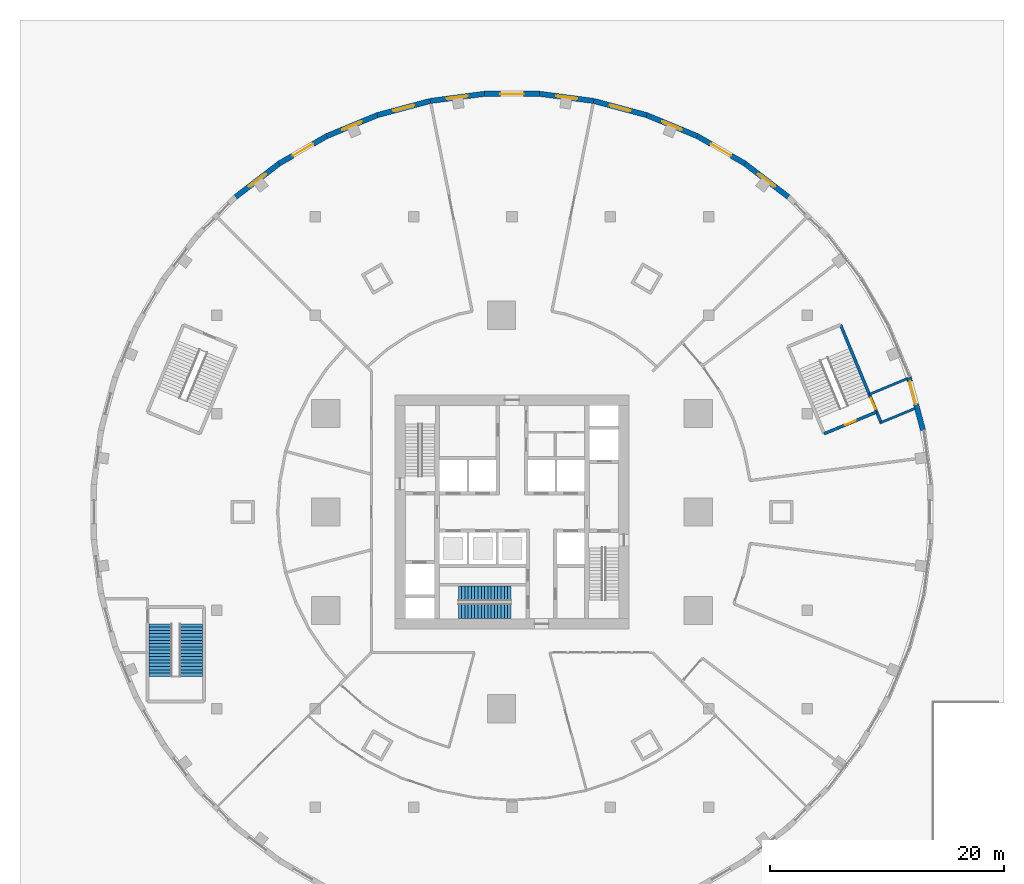
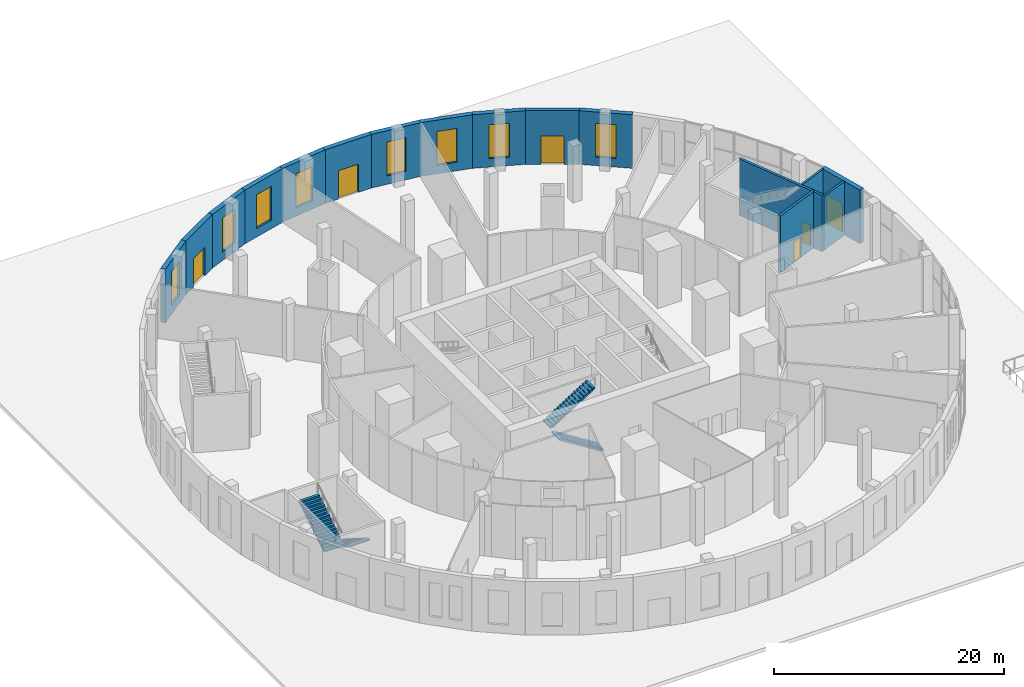
# One storey, part 14 of 19: 16 walls, 8 windows, 6 doors, 4 stair flights, 14 openings, 2 elements without a shape of their own.
"""IFC4 building model written with IfcOpenShell, lengths in metres."""

from ifc_helpers import new_model, si_unit, direction, frame, frame_2d, origin, place, context, subcontext, project, spatial, polyline, rectangle, outline, extrude, material, layer, layer_set, type_object, element, fill, aggregate, save


model = new_model("IFC4")

# Units and contexts
model_context = context("Model", 3, precision=1e-05, world=origin(), true_north=direction((0.0, 1.0)))
body_context = subcontext(model_context, "Body", "Model", "MODEL_VIEW")
ifc_project = project(units=[si_unit("LENGTHUNIT", "METRE"), si_unit("AREAUNIT", "SQUARE_METRE"), si_unit("VOLUMEUNIT", "CUBIC_METRE"), si_unit("PLANEANGLEUNIT", "RADIAN"), si_unit("MASSUNIT", "GRAM", prefix="KILO")], contexts=[model_context])

# Site, building, storey
site_placement = place(None, origin())
site = spatial("IfcSite", under=ifc_project, at=site_placement, CompositionType="ELEMENT")
building_placement = place(site_placement, origin())
building = spatial("IfcBuilding", under=site, at=building_placement, Name="Golbaran Civic Tower", CompositionType="ELEMENT")
storey_placement = place(building_placement, origin())
storey = spatial("IfcBuildingStorey", under=building, at=storey_placement, Name="L00", CompositionType="ELEMENT", Elevation=0.0)

# Walls
ifc_material_1 = material(Name="Concrete block, plastered", Category="concrete")
ifc_layer_1 = layer(ifc_material_1, 0.199951171875, Name="Concrete block, plastered")
ifc_layer_set_1 = layer_set([ifc_layer_1], Name="Concrete block, plastered")
wall_type_1 = type_object("IfcWallType", Name="PODIUM PARTITION 200", PredefinedType="PARTITIONING", material=ifc_layer_set_1)
wall_1_placement = place(storey_placement, frame((30.5, 10.0400390625, 0.0), z_axis=(0.0, 0.0, 1.0), x_axis=(0.923261142816, 0.384172958661, 0.0)))
element("IfcWall", 1, at=wall_1_placement, inside=storey, type_object=wall_type_1, Name="Podium partition L00", PredefinedType="PARTITIONING", context=body_context, shape_type="SweptSolid", body=[
    extrude(rectangle(XDim=3.487548828125, YDim=0.199951171875, at=frame_2d((1.74365234375, 0.0))), origin(), (0.0, 0.0, 1.0), 5.699951171875),
])
wall_2_placement = place(storey_placement, frame((31.5, 7.639892578125, 0.0), z_axis=(0.0, 0.0, 1.0), x_axis=(0.923990294705, 0.382415919243, 0.0)))
element("IfcWall", 2, at=wall_2_placement, inside=storey, type_object=wall_type_1, Name="Podium partition L00", PredefinedType="PARTITIONING", context=body_context, shape_type="SweptSolid", body=[
    extrude(rectangle(XDim=3.138427734375, YDim=0.199951171875, at=frame_2d((1.5693359375, 0.0))), origin(), (0.0, 0.0, 1.0), 5.699951171875),
])

# Wall, opening, door
ifc_material_2 = material(Name="Concrete C50/60", Category="concrete")
ifc_layer_2 = layer(ifc_material_2, 0.25, Name="Concrete C50/60")
ifc_layer_set_2 = layer_set([ifc_layer_2], Name="Concrete C50/60")
wall_type_2 = type_object("IfcWallType", Name="STAIR ENCLOSURE WALL CONCRETE 250", PredefinedType="SOLIDWALL", material=ifc_layer_set_2)
wall_3_placement = place(storey_placement, frame((31.12744140625, 8.536865234375, 0.0), z_axis=(0.0, 0.0, 1.0), x_axis=(-0.923880627248, -0.382680789426, 0.0)))
wall_3 = element("IfcWall", 3, at=wall_3_placement, inside=storey, type_object=wall_type_2, Name="Stair P1 enclosure A L00", PredefinedType="SOLIDWALL", context=body_context, shape_type="SweptSolid", body=[
    extrude(rectangle(XDim=4.849853515625, YDim=0.25, at=frame_2d((2.4248046875, 0.0))), origin(), (0.0, 0.0, 1.0), 6.0),
])
opening_1_placement = place(wall_3_placement, frame((1.925048828125, 0.0, 0.0)))
opening_1 = element("IfcOpeningElement", 4, at=opening_1_placement, cuts=wall_3, Name="Opening L00.P1", PredefinedType="OPENING", context=body_context, shape_type="SweptSolid", body=[
    extrude(rectangle(XDim=1.0, YDim=2.199951171875, at=frame_2d((0.5, 1.10009765625))), frame((0.0, 0.135009765625, 0.0), z_axis=(0.0, -1.0, 0.0), x_axis=(1.0, 0.0, 0.0)), (0.0, 0.0, 1.0), 0.27001953125),
])
ifc_material_3 = material(Name="Timber door set in steel frame", Category="steel")
door_type_1 = type_object("IfcDoorType", Name="STAIR DOOR 1000x2200", OperationType="SINGLE_SWING_LEFT", PredefinedType="DOOR", material=ifc_material_3)
door_1_placement = place(opening_1_placement, origin())
door_1 = element("IfcDoor", 5, at=door_1_placement, inside=storey, type_object=door_type_1, Name="Stair P1 door", OperationType="SINGLE_SWING_RIGHT", OverallHeight=2.199951171875, OverallWidth=1.0, PredefinedType="DOOR", context=body_context, shape_type="SweptSolid", body=[
    extrude(rectangle(XDim=1.0, YDim=2.199951171875, at=frame_2d((0.5, 1.10009765625))), frame((0.0, 0.02490234375, 0.0), z_axis=(0.0, -1.0, 0.0), x_axis=(1.0, 0.0, 0.0)), (0.0, 0.0, 1.0), 0.050048828125),
])
fill(opening_1, door_1)

wall_4_placement = place(storey_placement, frame((28.046875, 15.97412109375, 0.0), z_axis=(0.0, 0.0, 1.0), x_axis=(0.38267867035, -0.923881504988, 0.0)))
wall_4 = element("IfcWall", 6, at=wall_4_placement, inside=storey, type_object=wall_type_2, Name="Stair P1 enclosure D L00", PredefinedType="SOLIDWALL", context=body_context, shape_type="SweptSolid", body=[
    extrude(rectangle(XDim=9.125, YDim=0.25, at=frame_2d((4.5625, 0.0))), origin(), (0.0, 0.0, 1.0), 6.0),
])
opening_2_placement = place(wall_4_placement, frame((6.77490234375, 0.0, 0.0)))
opening_2 = element("IfcOpeningElement", 7, at=opening_2_placement, cuts=wall_4, Name="Opening L00.P1X", PredefinedType="OPENING", context=body_context, shape_type="SweptSolid", body=[
    extrude(rectangle(XDim=1.0, YDim=2.199951171875, at=frame_2d((0.5, 1.10009765625))), frame((0.0, 0.135009765625, 0.0), z_axis=(0.0, -1.0, 0.0), x_axis=(1.0, 0.0, 0.0)), (0.0, 0.0, 1.0), 0.27001953125),
])
door_2_placement = place(opening_2_placement, origin())
door_2 = element("IfcDoor", 8, at=door_2_placement, inside=storey, type_object=door_type_1, Name="Stair P1 exit door", OperationType="SINGLE_SWING_RIGHT", OverallHeight=2.199951171875, OverallWidth=1.0, PredefinedType="DOOR", context=body_context, shape_type="SweptSolid", body=[
    extrude(rectangle(XDim=1.0, YDim=2.199951171875, at=frame_2d((0.5, 1.10009765625))), frame((0.0, 0.02490234375, 0.0), z_axis=(0.0, -1.0, 0.0), x_axis=(1.0, 0.0, 0.0)), (0.0, 0.0, 1.0), 0.050048828125),
])
fill(opening_2, door_2)

ifc_material_4 = material(Name="Terracotta brick", Category="masonry")
ifc_layer_3 = layer(ifc_material_4, 0.449951171875, Name="Terracotta brick")
ifc_layer_set_3 = layer_set([ifc_layer_3], Name="Terracotta brick")
wall_type_3 = type_object("IfcWallType", Name="TERRACOTTA BRICK FACADE WALL 450", PredefinedType="SOLIDWALL", material=ifc_layer_set_3)
wall_5_placement = place(storey_placement, frame((35.087646484375, 6.979248046875, 0.0), z_axis=(0.0, 0.0, 1.0), x_axis=(-0.258815185258, 0.965926860523, 0.0)))
wall_5 = element("IfcWall", 9, at=wall_5_placement, inside=storey, type_object=wall_type_3, Name="Podium wall L00 facet 2", PredefinedType="SOLIDWALL", context=body_context, shape_type="SweptSolid", body=[
    extrude(rectangle(XDim=4.6796875, YDim=0.449951171875, at=frame_2d((2.33984375, 0.0))), origin(), (0.0, 0.0, 1.0), 5.699951171875),
])
opening_3_placement = place(wall_5_placement, frame((2.3076171875, 0.0, 0.0)))
opening_3 = element("IfcOpeningElement", 10, at=opening_3_placement, cuts=wall_5, Name="Opening L00.04", PredefinedType="OPENING", context=body_context, shape_type="SweptSolid", body=[
    extrude(rectangle(XDim=2.0, YDim=3.0, at=frame_2d((1.0, 1.5))), frame((0.0, 0.23486328125, 0.0), z_axis=(0.0, -1.0, 0.0), x_axis=(1.0, 0.0, 0.0)), (0.0, 0.0, 1.0), 0.469970703125),
])
ifc_material_5 = material(Name="Bronze-finished aluminium and glass", Category="aluminium")
door_type_2 = type_object("IfcDoorType", Name="ENTRANCE DOOR 2000x3000", OperationType="DOUBLE_DOOR_SINGLE_SWING", PredefinedType="DOOR", material=ifc_material_5)
door_3_placement = place(opening_3_placement, frame((2.0, 0.0, 0.0), z_axis=(0.0, 0.0, 1.0), x_axis=(-1.0, 0.0, 0.0)))
door_3 = element("IfcDoor", 11, at=door_3_placement, inside=storey, type_object=door_type_2, Name="Stair P1 Exit door", OperationType="DOUBLE_DOOR_SINGLE_SWING", OverallHeight=3.0, OverallWidth=2.0, PredefinedType="DOOR", context=body_context, shape_type="SweptSolid", body=[
    extrude(rectangle(XDim=2.0, YDim=3.0, at=frame_2d((1.0, 1.5))), frame((0.0, 0.02490234375, 0.0), z_axis=(0.0, -1.0, 0.0), x_axis=(1.0, 0.0, 0.0)), (0.0, 0.0, 1.0), 0.050048828125),
])
fill(opening_3, door_3)

# Wall, opening, window
wall_6_placement = place(storey_placement, frame((23.588134765625, 26.89697265625, 0.0), z_axis=(0.0, 0.0, 1.0), x_axis=(-0.79334682721, 0.608769916927, 0.0)))
wall_6 = element("IfcWall", 12, at=wall_6_placement, inside=storey, type_object=wall_type_3, Name="Podium wall L00 facet 7", PredefinedType="SOLIDWALL", context=body_context, shape_type="SweptSolid", body=[
    extrude(rectangle(XDim=4.6796875, YDim=0.449951171875, at=frame_2d((2.33984375, 0.0))), origin(), (0.0, 0.0, 1.0), 5.699951171875),
])
opening_4_placement = place(wall_6_placement, frame((1.439697265625, 0.0, 0.89990234375)))
opening_4 = element("IfcOpeningElement", 13, at=opening_4_placement, cuts=wall_6, Name="Opening L00.W03", PredefinedType="OPENING", context=body_context, shape_type="SweptSolid", body=[
    extrude(rectangle(XDim=1.800048828125, YDim=3.60009765625, at=frame_2d((0.89990234375, 1.800048828125))), frame((0.0, 0.23486328125, 0.0), z_axis=(0.0, -1.0, 0.0), x_axis=(1.0, 0.0, 0.0)), (0.0, 0.0, 1.0), 0.469970703125),
])
ifc_material_6 = material(Name="Aluminium frame, clear glass", Category="aluminium")
window_type = type_object("IfcWindowType", Name="PODIUM WINDOW 1800x3600", PartitioningType="SINGLE_PANEL", PredefinedType="WINDOW", material=ifc_material_6)
window_1_placement = place(opening_4_placement, origin())
window_1 = element("IfcWindow", 14, at=window_1_placement, inside=storey, type_object=window_type, Name="Podium window L00 facet 7", OverallHeight=3.60009765625, OverallWidth=1.800048828125, PartitioningType="SINGLE_PANEL", PredefinedType="WINDOW", context=body_context, shape_type="SweptSolid", body=[
    extrude(rectangle(XDim=1.800048828125, YDim=3.60009765625, at=frame_2d((0.89990234375, 1.800048828125))), frame((0.0, 0.030029296875, 0.0), z_axis=(0.0, -1.0, 0.0), x_axis=(1.0, 0.0, 0.0)), (0.0, 0.0, 1.0), 0.06005859375),
])
fill(opening_4, window_1)

# Wall, opening, door
wall_7_placement = place(storey_placement, frame((19.87548828125, 29.745849609375, 0.0), z_axis=(0.0, 0.0, 1.0), x_axis=(-0.866012687223, 0.500022025083, 0.0)))
wall_7 = element("IfcWall", 15, at=wall_7_placement, inside=storey, type_object=wall_type_3, Name="Podium wall L00 facet 8", PredefinedType="SOLIDWALL", context=body_context, shape_type="SweptSolid", body=[
    extrude(rectangle(XDim=4.679443359375, YDim=0.449951171875, at=frame_2d((2.33984375, 0.0))), origin(), (0.0, 0.0, 1.0), 5.699951171875),
])
opening_5_placement = place(wall_7_placement, frame((1.33984375, 0.0, 0.0)))
opening_5 = element("IfcOpeningElement", 16, at=opening_5_placement, cuts=wall_7, Name="Opening L00.05", PredefinedType="OPENING", context=body_context, shape_type="SweptSolid", body=[
    extrude(rectangle(XDim=2.0, YDim=3.0, at=frame_2d((1.0, 1.5))), frame((0.0, 0.23486328125, 0.0), z_axis=(0.0, -1.0, 0.0), x_axis=(1.0, 0.0, 0.0)), (0.0, 0.0, 1.0), 0.469970703125),
])
door_4_placement = place(opening_5_placement, frame((2.0, 0.0, 0.0), z_axis=(0.0, 0.0, 1.0), x_axis=(-1.0, 0.0, 0.0)))
door_4 = element("IfcDoor", 17, at=door_4_placement, inside=storey, type_object=door_type_2, Name="North-East Entrance door", OperationType="DOUBLE_DOOR_SINGLE_SWING", OverallHeight=3.0, OverallWidth=2.0, PredefinedType="DOOR", context=body_context, shape_type="SweptSolid", body=[
    extrude(rectangle(XDim=2.0, YDim=3.0, at=frame_2d((1.0, 1.5))), frame((0.0, 0.02490234375, 0.0), z_axis=(0.0, -1.0, 0.0), x_axis=(1.0, 0.0, 0.0)), (0.0, 0.0, 1.0), 0.050048828125),
])
fill(opening_5, door_4)

# Wall, opening, window
wall_8_placement = place(storey_placement, frame((15.822998046875, 32.085693359375, 0.0), z_axis=(0.0, 0.0, 1.0), x_axis=(-0.923885213032, 0.382669718086, 0.0)))
wall_8 = element("IfcWall", 18, at=wall_8_placement, inside=storey, type_object=wall_type_3, Name="Podium wall L00 facet 9", PredefinedType="SOLIDWALL", context=body_context, shape_type="SweptSolid", body=[
    extrude(rectangle(XDim=4.6796875, YDim=0.449951171875, at=frame_2d((2.33984375, 0.0))), origin(), (0.0, 0.0, 1.0), 5.699951171875),
])
opening_6_placement = place(wall_8_placement, frame((1.439697265625, 0.0, 0.89990234375)))
opening_6 = element("IfcOpeningElement", 19, at=opening_6_placement, cuts=wall_8, Name="Opening L00.W04", PredefinedType="OPENING", context=body_context, shape_type="SweptSolid", body=[
    extrude(rectangle(XDim=1.800048828125, YDim=3.60009765625, at=frame_2d((0.89990234375, 1.800048828125))), frame((0.0, 0.23486328125, 0.0), z_axis=(0.0, -1.0, 0.0), x_axis=(1.0, 0.0, 0.0)), (0.0, 0.0, 1.0), 0.469970703125),
])
window_2_placement = place(opening_6_placement, origin())
window_2 = element("IfcWindow", 20, at=window_2_placement, inside=storey, type_object=window_type, Name="Podium window L00 facet 9", OverallHeight=3.60009765625, OverallWidth=1.800048828125, PartitioningType="SINGLE_PANEL", PredefinedType="WINDOW", context=body_context, shape_type="SweptSolid", body=[
    extrude(rectangle(XDim=1.800048828125, YDim=3.60009765625, at=frame_2d((0.89990234375, 1.800048828125))), frame((0.0, 0.030029296875, 0.0), z_axis=(0.0, -1.0, 0.0), x_axis=(1.0, 0.0, 0.0)), (0.0, 0.0, 1.0), 0.06005859375),
])
fill(opening_6, window_2)

wall_9_placement = place(storey_placement, frame((11.49951171875, 33.87646484375, 0.0), z_axis=(0.0, 0.0, 1.0), x_axis=(-0.965926860523, 0.258815185258, 0.0)))
wall_9 = element("IfcWall", 21, at=wall_9_placement, inside=storey, type_object=wall_type_3, Name="Podium wall L00 facet 10", PredefinedType="SOLIDWALL", context=body_context, shape_type="SweptSolid", body=[
    extrude(rectangle(XDim=4.6796875, YDim=0.449951171875, at=frame_2d((2.33984375, 0.0))), origin(), (0.0, 0.0, 1.0), 5.699951171875),
])
opening_7_placement = place(wall_9_placement, frame((1.439697265625, 0.0, 0.89990234375)))
opening_7 = element("IfcOpeningElement", 22, at=opening_7_placement, cuts=wall_9, Name="Opening L00.W05", PredefinedType="OPENING", context=body_context, shape_type="SweptSolid", body=[
    extrude(rectangle(XDim=1.800048828125, YDim=3.60009765625, at=frame_2d((0.89990234375, 1.800048828125))), frame((0.0, 0.23486328125, 0.0), z_axis=(0.0, -1.0, 0.0), x_axis=(1.0, 0.0, 0.0)), (0.0, 0.0, 1.0), 0.469970703125),
])
window_3_placement = place(opening_7_placement, origin())
window_3 = element("IfcWindow", 23, at=window_3_placement, inside=storey, type_object=window_type, Name="Podium window L00 facet 10", OverallHeight=3.60009765625, OverallWidth=1.800048828125, PartitioningType="SINGLE_PANEL", PredefinedType="WINDOW", context=body_context, shape_type="SweptSolid", body=[
    extrude(rectangle(XDim=1.800048828125, YDim=3.60009765625, at=frame_2d((0.89990234375, 1.800048828125))), frame((0.0, 0.030029296875, 0.0), z_axis=(0.0, -1.0, 0.0), x_axis=(1.0, 0.0, 0.0)), (0.0, 0.0, 1.0), 0.06005859375),
])
fill(opening_7, window_3)

wall_10_placement = place(storey_placement, frame((6.979248046875, 35.087646484375, 0.0), z_axis=(0.0, 0.0, 1.0), x_axis=(-0.991443459746, 0.130536838198, 0.0)))
wall_10 = element("IfcWall", 24, at=wall_10_placement, inside=storey, type_object=wall_type_3, Name="Podium wall L00 facet 11", PredefinedType="SOLIDWALL", context=body_context, shape_type="SweptSolid", body=[
    extrude(rectangle(XDim=4.679443359375, YDim=0.449951171875, at=frame_2d((2.33984375, 0.0))), origin(), (0.0, 0.0, 1.0), 5.699951171875),
])
opening_8_placement = place(wall_10_placement, frame((1.439697265625, 0.0, 0.89990234375)))
opening_8 = element("IfcOpeningElement", 25, at=opening_8_placement, cuts=wall_10, Name="Opening L00.W06", PredefinedType="OPENING", context=body_context, shape_type="SweptSolid", body=[
    extrude(rectangle(XDim=1.800048828125, YDim=3.60009765625, at=frame_2d((0.89990234375, 1.800048828125))), frame((0.0, 0.23486328125, 0.0), z_axis=(0.0, -1.0, 0.0), x_axis=(1.0, 0.0, 0.0)), (0.0, 0.0, 1.0), 0.469970703125),
])
window_4_placement = place(opening_8_placement, origin())
window_4 = element("IfcWindow", 26, at=window_4_placement, inside=storey, type_object=window_type, Name="Podium window L00 facet 11", OverallHeight=3.60009765625, OverallWidth=1.800048828125, PartitioningType="SINGLE_PANEL", PredefinedType="WINDOW", context=body_context, shape_type="SweptSolid", body=[
    extrude(rectangle(XDim=1.800048828125, YDim=3.60009765625, at=frame_2d((0.89990234375, 1.800048828125))), frame((0.0, 0.030029296875, 0.0), z_axis=(0.0, -1.0, 0.0), x_axis=(1.0, 0.0, 0.0)), (0.0, 0.0, 1.0), 0.06005859375),
])
fill(opening_8, window_4)

# Wall, opening, door
wall_11_placement = place(storey_placement, frame((2.33984375, 35.698486328125, 0.0), z_axis=(0.0, 0.0, 1.0), x_axis=(-1.0, 0.0, 0.0)))
wall_11 = element("IfcWall", 27, at=wall_11_placement, inside=storey, type_object=wall_type_3, Name="Podium wall L00 facet 12", PredefinedType="SOLIDWALL", context=body_context, shape_type="SweptSolid", body=[
    extrude(rectangle(XDim=4.6796875, YDim=0.449951171875, at=frame_2d((2.33984375, 0.0))), origin(), (0.0, 0.0, 1.0), 5.699951171875),
])
opening_9_placement = place(wall_11_placement, frame((1.33984375, 0.0, 0.0)))
opening_9 = element("IfcOpeningElement", 28, at=opening_9_placement, cuts=wall_11, Name="Opening L00.06", PredefinedType="OPENING", context=body_context, shape_type="SweptSolid", body=[
    extrude(rectangle(XDim=2.0, YDim=3.0, at=frame_2d((1.0, 1.5))), frame((0.0, 0.23486328125, 0.0), z_axis=(0.0, -1.0, 0.0), x_axis=(1.0, 0.0, 0.0)), (0.0, 0.0, 1.0), 0.469970703125),
])
door_5_placement = place(opening_9_placement, frame((2.0, 0.0, 0.0), z_axis=(0.0, 0.0, 1.0), x_axis=(-1.0, 0.0, 0.0)))
door_5 = element("IfcDoor", 29, at=door_5_placement, inside=storey, type_object=door_type_2, Name="Council Entrance door", OperationType="DOUBLE_DOOR_SINGLE_SWING", OverallHeight=3.0, OverallWidth=2.0, PredefinedType="DOOR", context=body_context, shape_type="SweptSolid", body=[
    extrude(rectangle(XDim=2.0, YDim=3.0, at=frame_2d((1.0, 1.5))), frame((0.0, 0.02490234375, 0.0), z_axis=(0.0, -1.0, 0.0), x_axis=(1.0, 0.0, 0.0)), (0.0, 0.0, 1.0), 0.050048828125),
])
fill(opening_9, door_5)

# Wall, opening, window
wall_12_placement = place(storey_placement, frame((-2.33984375, 35.698486328125, 0.0), z_axis=(0.0, 0.0, 1.0), x_axis=(-0.991443459746, -0.130536838198, 0.0)))
wall_12 = element("IfcWall", 30, at=wall_12_placement, inside=storey, type_object=wall_type_3, Name="Podium wall L00 facet 13", PredefinedType="SOLIDWALL", context=body_context, shape_type="SweptSolid", body=[
    extrude(rectangle(XDim=4.679443359375, YDim=0.449951171875, at=frame_2d((2.33984375, 0.0))), origin(), (0.0, 0.0, 1.0), 5.699951171875),
])
opening_10_placement = place(wall_12_placement, frame((1.439697265625, 0.0, 0.89990234375)))
opening_10 = element("IfcOpeningElement", 31, at=opening_10_placement, cuts=wall_12, Name="Opening L00.W07", PredefinedType="OPENING", context=body_context, shape_type="SweptSolid", body=[
    extrude(rectangle(XDim=1.800048828125, YDim=3.60009765625, at=frame_2d((0.89990234375, 1.800048828125))), frame((0.0, 0.23486328125, 0.0), z_axis=(0.0, -1.0, 0.0), x_axis=(1.0, 0.0, 0.0)), (0.0, 0.0, 1.0), 0.469970703125),
])
window_5_placement = place(opening_10_placement, origin())
window_5 = element("IfcWindow", 32, at=window_5_placement, inside=storey, type_object=window_type, Name="Podium window L00 facet 13", OverallHeight=3.60009765625, OverallWidth=1.800048828125, PartitioningType="SINGLE_PANEL", PredefinedType="WINDOW", context=body_context, shape_type="SweptSolid", body=[
    extrude(rectangle(XDim=1.800048828125, YDim=3.60009765625, at=frame_2d((0.89990234375, 1.800048828125))), frame((0.0, 0.030029296875, 0.0), z_axis=(0.0, -1.0, 0.0), x_axis=(1.0, 0.0, 0.0)), (0.0, 0.0, 1.0), 0.06005859375),
])
fill(opening_10, window_5)

wall_13_placement = place(storey_placement, frame((-6.979248046875, 35.087646484375, 0.0), z_axis=(0.0, 0.0, 1.0), x_axis=(-0.965926860523, -0.258815185258, 0.0)))
wall_13 = element("IfcWall", 33, at=wall_13_placement, inside=storey, type_object=wall_type_3, Name="Podium wall L00 facet 14", PredefinedType="SOLIDWALL", context=body_context, shape_type="SweptSolid", body=[
    extrude(rectangle(XDim=4.6796875, YDim=0.449951171875, at=frame_2d((2.33984375, 0.0))), origin(), (0.0, 0.0, 1.0), 5.699951171875),
])
opening_11_placement = place(wall_13_placement, frame((1.439697265625, 0.0, 0.89990234375)))
opening_11 = element("IfcOpeningElement", 34, at=opening_11_placement, cuts=wall_13, Name="Opening L00.W08", PredefinedType="OPENING", context=body_context, shape_type="SweptSolid", body=[
    extrude(rectangle(XDim=1.800048828125, YDim=3.60009765625, at=frame_2d((0.89990234375, 1.800048828125))), frame((0.0, 0.23486328125, 0.0), z_axis=(0.0, -1.0, 0.0), x_axis=(1.0, 0.0, 0.0)), (0.0, 0.0, 1.0), 0.469970703125),
])
window_6_placement = place(opening_11_placement, origin())
window_6 = element("IfcWindow", 35, at=window_6_placement, inside=storey, type_object=window_type, Name="Podium window L00 facet 14", OverallHeight=3.60009765625, OverallWidth=1.800048828125, PartitioningType="SINGLE_PANEL", PredefinedType="WINDOW", context=body_context, shape_type="SweptSolid", body=[
    extrude(rectangle(XDim=1.800048828125, YDim=3.60009765625, at=frame_2d((0.89990234375, 1.800048828125))), frame((0.0, 0.030029296875, 0.0), z_axis=(0.0, -1.0, 0.0), x_axis=(1.0, 0.0, 0.0)), (0.0, 0.0, 1.0), 0.06005859375),
])
fill(opening_11, window_6)

wall_14_placement = place(storey_placement, frame((-11.49951171875, 33.87646484375, 0.0), z_axis=(0.0, 0.0, 1.0), x_axis=(-0.923885213032, -0.382669718086, 0.0)))
wall_14 = element("IfcWall", 36, at=wall_14_placement, inside=storey, type_object=wall_type_3, Name="Podium wall L00 facet 15", PredefinedType="SOLIDWALL", context=body_context, shape_type="SweptSolid", body=[
    extrude(rectangle(XDim=4.6796875, YDim=0.449951171875, at=frame_2d((2.33984375, 0.0))), origin(), (0.0, 0.0, 1.0), 5.699951171875),
])
opening_12_placement = place(wall_14_placement, frame((1.439697265625, 0.0, 0.89990234375)))
opening_12 = element("IfcOpeningElement", 37, at=opening_12_placement, cuts=wall_14, Name="Opening L00.W09", PredefinedType="OPENING", context=body_context, shape_type="SweptSolid", body=[
    extrude(rectangle(XDim=1.800048828125, YDim=3.60009765625, at=frame_2d((0.89990234375, 1.800048828125))), frame((0.0, 0.23486328125, 0.0), z_axis=(0.0, -1.0, 0.0), x_axis=(1.0, 0.0, 0.0)), (0.0, 0.0, 1.0), 0.469970703125),
])
window_7_placement = place(opening_12_placement, origin())
window_7 = element("IfcWindow", 38, at=window_7_placement, inside=storey, type_object=window_type, Name="Podium window L00 facet 15", OverallHeight=3.60009765625, OverallWidth=1.800048828125, PartitioningType="SINGLE_PANEL", PredefinedType="WINDOW", context=body_context, shape_type="SweptSolid", body=[
    extrude(rectangle(XDim=1.800048828125, YDim=3.60009765625, at=frame_2d((0.89990234375, 1.800048828125))), frame((0.0, 0.030029296875, 0.0), z_axis=(0.0, -1.0, 0.0), x_axis=(1.0, 0.0, 0.0)), (0.0, 0.0, 1.0), 0.06005859375),
])
fill(opening_12, window_7)

# Wall, opening, door
wall_15_placement = place(storey_placement, frame((-15.822998046875, 32.085693359375, 0.0), z_axis=(0.0, 0.0, 1.0), x_axis=(-0.866012687223, -0.500022025083, 0.0)))
wall_15 = element("IfcWall", 39, at=wall_15_placement, inside=storey, type_object=wall_type_3, Name="Podium wall L00 facet 16", PredefinedType="SOLIDWALL", context=body_context, shape_type="SweptSolid", body=[
    extrude(rectangle(XDim=4.679443359375, YDim=0.449951171875, at=frame_2d((2.33984375, 0.0))), origin(), (0.0, 0.0, 1.0), 5.699951171875),
])
opening_13_placement = place(wall_15_placement, frame((1.33984375, 0.0, 0.0)))
opening_13 = element("IfcOpeningElement", 40, at=opening_13_placement, cuts=wall_15, Name="Opening L00.07", PredefinedType="OPENING", context=body_context, shape_type="SweptSolid", body=[
    extrude(rectangle(XDim=2.0, YDim=3.0, at=frame_2d((1.0, 1.5))), frame((0.0, 0.23486328125, 0.0), z_axis=(0.0, -1.0, 0.0), x_axis=(1.0, 0.0, 0.0)), (0.0, 0.0, 1.0), 0.469970703125),
])
door_6_placement = place(opening_13_placement, frame((2.0, 0.0, 0.0), z_axis=(0.0, 0.0, 1.0), x_axis=(-1.0, 0.0, 0.0)))
door_6 = element("IfcDoor", 41, at=door_6_placement, inside=storey, type_object=door_type_2, Name="North-West Entrance door", OperationType="DOUBLE_DOOR_SINGLE_SWING", OverallHeight=3.0, OverallWidth=2.0, PredefinedType="DOOR", context=body_context, shape_type="SweptSolid", body=[
    extrude(rectangle(XDim=2.0, YDim=3.0, at=frame_2d((1.0, 1.5))), frame((0.0, 0.02490234375, 0.0), z_axis=(0.0, -1.0, 0.0), x_axis=(1.0, 0.0, 0.0)), (0.0, 0.0, 1.0), 0.050048828125),
])
fill(opening_13, door_6)

# Wall, opening, window
wall_16_placement = place(storey_placement, frame((-19.87548828125, 29.745849609375, 0.0), z_axis=(0.0, 0.0, 1.0), x_axis=(-0.79334682721, -0.608769916927, 0.0)))
wall_16 = element("IfcWall", 42, at=wall_16_placement, inside=storey, type_object=wall_type_3, Name="Podium wall L00 facet 17", PredefinedType="SOLIDWALL", context=body_context, shape_type="SweptSolid", body=[
    extrude(rectangle(XDim=4.6796875, YDim=0.449951171875, at=frame_2d((2.33984375, 0.0))), origin(), (0.0, 0.0, 1.0), 5.699951171875),
])
opening_14_placement = place(wall_16_placement, frame((1.439697265625, 0.0, 0.89990234375)))
opening_14 = element("IfcOpeningElement", 43, at=opening_14_placement, cuts=wall_16, Name="Opening L00.W10", PredefinedType="OPENING", context=body_context, shape_type="SweptSolid", body=[
    extrude(rectangle(XDim=1.800048828125, YDim=3.60009765625, at=frame_2d((0.89990234375, 1.800048828125))), frame((0.0, 0.23486328125, 0.0), z_axis=(0.0, -1.0, 0.0), x_axis=(1.0, 0.0, 0.0)), (0.0, 0.0, 1.0), 0.469970703125),
])
window_8_placement = place(opening_14_placement, origin())
window_8 = element("IfcWindow", 44, at=window_8_placement, inside=storey, type_object=window_type, Name="Podium window L00 facet 17", OverallHeight=3.60009765625, OverallWidth=1.800048828125, PartitioningType="SINGLE_PANEL", PredefinedType="WINDOW", context=body_context, shape_type="SweptSolid", body=[
    extrude(rectangle(XDim=1.800048828125, YDim=3.60009765625, at=frame_2d((0.89990234375, 1.800048828125))), frame((0.0, 0.030029296875, 0.0), z_axis=(0.0, -1.0, 0.0), x_axis=(1.0, 0.0, 0.0)), (0.0, 0.0, 1.0), 0.06005859375),
])
fill(opening_14, window_8)

# Stair, stair flights
ifc_material_7 = material(Name="Concrete C35/45", Category="concrete")
stair_type_1 = type_object("IfcStairType", Name="EXIT STAIR 2800 x 7400, 6000 RISE", PredefinedType="HALF_TURN_STAIR", material=ifc_material_7)
stair_1_placement = place(storey_placement, origin())
stair_1 = element("IfcStair", 45, at=stair_1_placement, inside=storey, type_object=stair_type_1, Name="Stair S3 L00", PredefinedType="HALF_TURN_STAIR")
stair_flight_type_1 = type_object("IfcStairFlightType", Name="STAIR FLIGHT 1300 WIDE", PredefinedType="STRAIGHT", material=ifc_material_7)
stair_flight_1_placement = place(storey_placement, frame((-0.10009765625, -8.449951171875, 0.0), z_axis=(0.0, 0.0, 1.0), x_axis=(-1.0, 0.0, 0.0)))
stair_flight_1 = element("IfcStairFlight", 46, at=stair_flight_1_placement, type_object=stair_flight_type_1, Name="ST28074-60 flight 1", NumberOfRisers=17, NumberOfTreads=16, PredefinedType="STRAIGHT", RiserHeight=0.176470588, TreadLength=0.28, context=body_context, shape_type="SweptSolid", body=[
    extrude(outline(polyline([(0.0, 0.0), (0.0, 0.176513671875), (0.280029296875, 0.176513671875), (0.280029296875, 0.35302734375), (0.56005859375, 0.35302734375), (0.56005859375, 0.529296875), (0.840087890625, 0.529296875), (0.840087890625, 0.705810546875), (1.1201171875, 0.705810546875), (1.1201171875, 0.88232421875), (1.39990234375, 0.88232421875), (1.39990234375, 1.058837890625), (1.679931640625, 1.058837890625), (1.679931640625, 1.2353515625), (1.9599609375, 1.2353515625), (1.9599609375, 1.411865234375), (2.239990234375, 1.411865234375), (2.239990234375, 1.588134765625), (2.52001953125, 1.588134765625), (2.52001953125, 1.7646484375), (2.800048828125, 1.7646484375), (2.800048828125, 1.941162109375), (3.080078125, 1.941162109375), (3.080078125, 2.11767578125), (3.360107421875, 2.11767578125), (3.360107421875, 2.294189453125), (3.639892578125, 2.294189453125), (3.639892578125, 2.470703125), (3.919921875, 2.470703125), (3.919921875, 2.64697265625), (4.199951171875, 2.64697265625), (4.199951171875, 2.823486328125), (4.47998046875, 2.823486328125), (4.47998046875, 3.0), (4.47998046875, 2.646240234375), (0.28125, 0.0), (0.0, 0.0)])), frame((0.0, 0.64990234375, 0.0), z_axis=(0.0, -1.0, 0.0), x_axis=(1.0, 0.0, 0.0)), (0.0, 0.0, 1.0), 1.300048828125),
])
stair_flight_2_placement = place(storey_placement, frame((-4.580078125, -6.949951171875, 3.0), z_axis=(0.0, 0.0, 1.0), x_axis=(1.0, 0.0, 0.0)))
stair_flight_2 = element("IfcStairFlight", 47, at=stair_flight_2_placement, type_object=stair_flight_type_1, Name="ST28074-60 flight 2", NumberOfRisers=17, NumberOfTreads=16, PredefinedType="STRAIGHT", RiserHeight=0.176470588, TreadLength=0.28, context=body_context, shape_type="SweptSolid", body=[
    extrude(outline(polyline([(0.0, 0.0), (0.0, 0.176513671875), (0.280029296875, 0.176513671875), (0.280029296875, 0.35302734375), (0.56005859375, 0.35302734375), (0.56005859375, 0.529296875), (0.840087890625, 0.529296875), (0.840087890625, 0.705810546875), (1.1201171875, 0.705810546875), (1.1201171875, 0.88232421875), (1.39990234375, 0.88232421875), (1.39990234375, 1.058837890625), (1.679931640625, 1.058837890625), (1.679931640625, 1.2353515625), (1.9599609375, 1.2353515625), (1.9599609375, 1.411865234375), (2.239990234375, 1.411865234375), (2.239990234375, 1.588134765625), (2.52001953125, 1.588134765625), (2.52001953125, 1.7646484375), (2.800048828125, 1.7646484375), (2.800048828125, 1.941162109375), (3.080078125, 1.941162109375), (3.080078125, 2.11767578125), (3.360107421875, 2.11767578125), (3.360107421875, 2.294189453125), (3.639892578125, 2.294189453125), (3.639892578125, 2.470703125), (3.919921875, 2.470703125), (3.919921875, 2.64697265625), (4.199951171875, 2.64697265625), (4.199951171875, 2.823486328125), (4.47998046875, 2.823486328125), (4.47998046875, 3.0), (4.47998046875, 2.646240234375), (0.28125, 0.0), (0.0, 0.0)])), frame((0.0, 0.64990234375, 0.0), z_axis=(0.0, -1.0, 0.0), x_axis=(1.0, 0.0, 0.0)), (0.0, 0.0, 1.0), 1.300048828125),
])
aggregate(stair_1, [stair_flight_1, stair_flight_2])

stair_type_2 = type_object("IfcStairType", Name="EXIT STAIR 4600 x 7800, 6000 RISE", PredefinedType="HALF_TURN_STAIR", material=ifc_material_7)
stair_2_placement = place(storey_placement, origin())
stair_2 = element("IfcStair", 48, at=stair_2_placement, inside=storey, type_object=stair_type_2, Name="Stair P3 L00", PredefinedType="HALF_TURN_STAIR")
stair_flight_type_2 = type_object("IfcStairFlightType", Name="STAIR FLIGHT 2000 WIDE", PredefinedType="STRAIGHT", material=ifc_material_7)
stair_flight_3_placement = place(storey_placement, frame((-27.39990234375, -9.550048828125, 0.0), z_axis=(0.0, 0.0, 1.0), x_axis=(0.0, -1.0, 0.0)))
stair_flight_3 = element("IfcStairFlight", 49, at=stair_flight_3_placement, type_object=stair_flight_type_2, Name="ST46078-60 flight 1", NumberOfRisers=17, NumberOfTreads=16, PredefinedType="STRAIGHT", RiserHeight=0.176470588, TreadLength=0.28, context=body_context, shape_type="SweptSolid", body=[
    extrude(outline(polyline([(0.0, 0.0), (0.0, 0.176513671875), (0.280029296875, 0.176513671875), (0.280029296875, 0.35302734375), (0.56005859375, 0.35302734375), (0.56005859375, 0.529296875), (0.840087890625, 0.529296875), (0.840087890625, 0.705810546875), (1.1201171875, 0.705810546875), (1.1201171875, 0.88232421875), (1.39990234375, 0.88232421875), (1.39990234375, 1.058837890625), (1.679931640625, 1.058837890625), (1.679931640625, 1.2353515625), (1.9599609375, 1.2353515625), (1.9599609375, 1.411865234375), (2.239990234375, 1.411865234375), (2.239990234375, 1.588134765625), (2.52001953125, 1.588134765625), (2.52001953125, 1.7646484375), (2.800048828125, 1.7646484375), (2.800048828125, 1.941162109375), (3.080078125, 1.941162109375), (3.080078125, 2.11767578125), (3.360107421875, 2.11767578125), (3.360107421875, 2.294189453125), (3.639892578125, 2.294189453125), (3.639892578125, 2.470703125), (3.919921875, 2.470703125), (3.919921875, 2.64697265625), (4.199951171875, 2.64697265625), (4.199951171875, 2.823486328125), (4.47998046875, 2.823486328125), (4.47998046875, 3.0), (4.47998046875, 2.646240234375), (0.28125, 0.0), (0.0, 0.0)])), frame((0.0, 1.0, 0.0), z_axis=(0.0, -1.0, 0.0), x_axis=(1.0, 0.0, 0.0)), (0.0, 0.0, 1.0), 2.0),
])
stair_flight_4_placement = place(storey_placement, frame((-30.0, -14.030029296875, 3.0), z_axis=(0.0, 0.0, 1.0), x_axis=(0.0, 1.0, 0.0)))
stair_flight_4 = element("IfcStairFlight", 50, at=stair_flight_4_placement, type_object=stair_flight_type_2, Name="ST46078-60 flight 2", NumberOfRisers=17, NumberOfTreads=16, PredefinedType="STRAIGHT", RiserHeight=0.176470588, TreadLength=0.28, context=body_context, shape_type="SweptSolid", body=[
    extrude(outline(polyline([(0.0, 0.0), (0.0, 0.176513671875), (0.280029296875, 0.176513671875), (0.280029296875, 0.35302734375), (0.56005859375, 0.35302734375), (0.56005859375, 0.529296875), (0.840087890625, 0.529296875), (0.840087890625, 0.705810546875), (1.1201171875, 0.705810546875), (1.1201171875, 0.88232421875), (1.39990234375, 0.88232421875), (1.39990234375, 1.058837890625), (1.679931640625, 1.058837890625), (1.679931640625, 1.2353515625), (1.9599609375, 1.2353515625), (1.9599609375, 1.411865234375), (2.239990234375, 1.411865234375), (2.239990234375, 1.588134765625), (2.52001953125, 1.588134765625), (2.52001953125, 1.7646484375), (2.800048828125, 1.7646484375), (2.800048828125, 1.941162109375), (3.080078125, 1.941162109375), (3.080078125, 2.11767578125), (3.360107421875, 2.11767578125), (3.360107421875, 2.294189453125), (3.639892578125, 2.294189453125), (3.639892578125, 2.470703125), (3.919921875, 2.470703125), (3.919921875, 2.64697265625), (4.199951171875, 2.64697265625), (4.199951171875, 2.823486328125), (4.47998046875, 2.823486328125), (4.47998046875, 3.0), (4.47998046875, 2.646240234375), (0.28125, 0.0), (0.0, 0.0)])), frame((0.0, 1.0, 0.0), z_axis=(0.0, -1.0, 0.0), x_axis=(1.0, 0.0, 0.0)), (0.0, 0.0, 1.0), 2.0),
])
aggregate(stair_2, [stair_flight_3, stair_flight_4])

save(model, "model.ifc")
